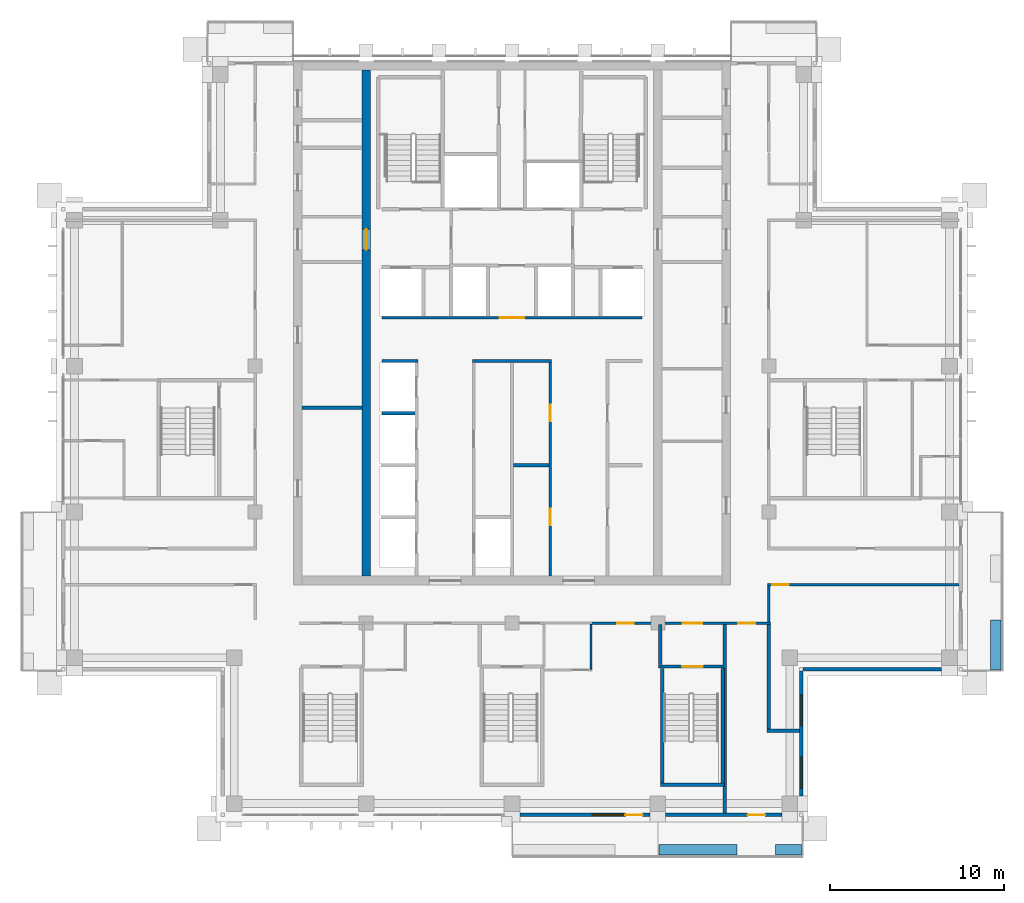
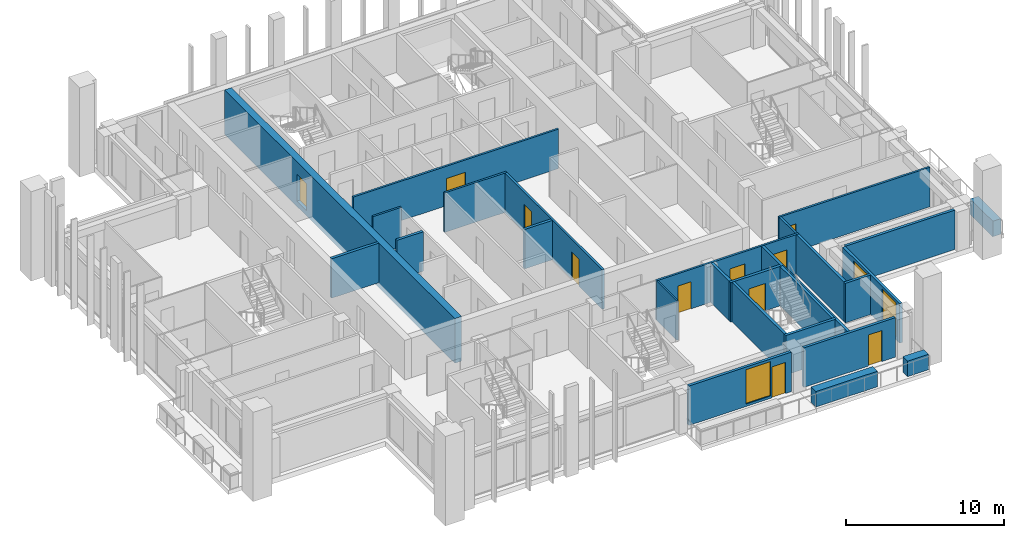
# One storey, part 10 of 18: 27 walls, 11 doors, 3 windows, 14 openings.
"""IFC4 building model written with IfcOpenShell, lengths in metres."""

import ifcopenshell
import ifcopenshell.guid

model = None  # the IFC model being written
_history = None  # IfcOwnerHistory: only IFC2X3 demands one
_inside = {}  # id of a spatial element -> (the spatial element, [elements in it])
_under = {}  # id of a project, library or spatial element -> (it, [spatial elements below it])
_declared = {}  # id of a project -> (the project, [libraries it declares])
_typed = {}  # id of a type object -> (the type object, [elements of that type])
_made_of = {}  # id of a material, layer set ... -> (it, [elements and type objects made of it])


def new_model(schema):
    """Start an empty IFC model of exactly this schema.

    Asked for "IFC4X3", IfcOpenShell would pick the latest addendum, in which some entities
    have other attributes; the version numbers below select the first issue.
    IFC2X3 requires an IfcOwnerHistory on every rooted entity: one is made here for all.
    """
    global model, _history
    if schema == "IFC4X3":
        model = ifcopenshell.file(schema_version=(4, 3, 0, 0))
    else:
        model = ifcopenshell.file(schema=schema)
    _inside.clear()
    _under.clear()
    _declared.clear()
    _typed.clear()
    _made_of.clear()
    _history = None
    if model.schema == "IFC2X3":
        org = make("IfcOrganization", Name="unknown")
        user = make(
            "IfcPersonAndOrganization",
            ThePerson=make("IfcPerson", FamilyName="unknown"),
            TheOrganization=org,
        )
        app = make(
            "IfcApplication",
            ApplicationDeveloper=org,
            Version="unknown",
            ApplicationFullName="unknown",
            ApplicationIdentifier="unknown",
        )
        _history = make(
            "IfcOwnerHistory",
            OwningUser=user,
            OwningApplication=app,
            ChangeAction="ADDED",
            CreationDate=0,
        )
    return model


def make(cls, **values):
    """One entity of the class cls with the attributes given. An attribute that is None is left unset."""
    return model.create_entity(
        cls, **{name: value for name, value in values.items() if value is not None}
    )


def rooted(cls, **values):
    """An entity with a GlobalId (a new one), such as an element, a storey or a relation."""
    return make(cls, GlobalId=ifcopenshell.guid.new(), OwnerHistory=_history, **values)


def si_unit(unit_type, name, prefix=None):
    """IfcSIUnit, for example si_unit("LENGTHUNIT", "METRE", prefix="MILLI")."""
    return make("IfcSIUnit", UnitType=unit_type, Prefix=prefix, Name=name)


def assignment(units):
    """IfcUnitAssignment: the units of a project."""
    return None if units is None else make("IfcUnitAssignment", Units=units)


def point(xyz):
    """IfcCartesianPoint."""
    return None if xyz is None else make("IfcCartesianPoint", Coordinates=xyz)


def direction(xyz):
    """IfcDirection."""
    return None if xyz is None else make("IfcDirection", DirectionRatios=xyz)


def frame(location, z_axis=None, x_axis=None):
    """IfcAxis2Placement3D, a coordinate frame: its origin and axes. An axis left out is left unset."""
    return make(
        "IfcAxis2Placement3D",
        Location=point(location),
        Axis=direction(z_axis),
        RefDirection=direction(x_axis),
    )


def frame_2d(location, x_axis=None):
    """IfcAxis2Placement2D, a coordinate frame in the plane: its origin and x axis."""
    return make(
        "IfcAxis2Placement2D", Location=point(location), RefDirection=direction(x_axis)
    )


def origin():
    """The frame at (0, 0, 0) with its axes left unset."""
    return frame((0.0, 0.0, 0.0))


def place(relative_to, where):
    """IfcLocalPlacement: puts the frame where relative to a parent placement (None: the world)."""
    return make(
        "IfcLocalPlacement", PlacementRelTo=relative_to, RelativePlacement=where
    )


def context(
    kind, dimensions, precision=None, world=None, true_north=None, identifier=None
):
    """IfcGeometricRepresentationContext, for example the 3D "Model" context."""
    return make(
        "IfcGeometricRepresentationContext",
        ContextIdentifier=identifier,
        ContextType=kind,
        CoordinateSpaceDimension=dimensions,
        Precision=precision,
        WorldCoordinateSystem=world,
        TrueNorth=true_north,
    )


def subcontext(parent, identifier, kind, view, scale=None):
    """IfcGeometricRepresentationSubContext, for example "Body" below "Model"."""
    return make(
        "IfcGeometricRepresentationSubContext",
        ContextIdentifier=identifier,
        ContextType=kind,
        ParentContext=parent,
        TargetScale=scale,
        TargetView=view,
    )


def project(units=None, contexts=None):
    """IfcProject with its units and contexts."""
    return rooted(
        "IfcProject",
        Name="project",
        RepresentationContexts=contexts,
        UnitsInContext=assignment(units),
    )


def spatial(cls, under=None, at=None, **own):
    """A site, building, storey or space (cls), placed at a placement, below another one or the project."""
    s = rooted(cls, ObjectPlacement=at, **own)
    if under is not None:
        _under.setdefault(under.id(), (under, []))[1].append(s)
    return s


def profile(cls, at=None, kind="AREA", **sizes):
    """A parametric profile (cls). Its sizes go by their IFC names, for example OverallWidth=200.0."""
    return make(cls, ProfileType=kind, Position=at, **sizes)


def rectangle(**sizes):
    """IfcRectangleProfileDef."""
    return profile("IfcRectangleProfileDef", **sizes)


def extrude(swept, where, along, depth):
    """IfcExtrudedAreaSolid: the profile swept, set in the frame where, extruded along a direction by depth."""
    return make(
        "IfcExtrudedAreaSolid",
        SweptArea=swept,
        Position=where,
        ExtrudedDirection=direction(along),
        Depth=depth,
    )


def shape(context_of_items, identifier, shape_type, items):
    """IfcShapeRepresentation: the items that make up one representation, for example the "Body"."""
    return make(
        "IfcShapeRepresentation",
        ContextOfItems=context_of_items,
        RepresentationIdentifier=identifier,
        RepresentationType=shape_type,
        Items=items,
    )


def material(Name=None, Category=None):
    """IfcMaterial."""
    return make("IfcMaterial", Name=Name, Category=Category)


def layer(
    of_material, thickness, ventilated=None, Name=None, Category=None, Priority=None
):
    """IfcMaterialLayer: one layer of a wall or slab, of a material (None: an air gap)."""
    return make(
        "IfcMaterialLayer",
        Material=of_material,
        LayerThickness=thickness,
        IsVentilated=ventilated,
        Name=Name,
        Category=Category,
        Priority=Priority,
    )


def layer_set(layers, Name=None):
    """IfcMaterialLayerSet."""
    return make("IfcMaterialLayerSet", MaterialLayers=layers, LayerSetName=Name)


def made_of(thing, what):
    """Note that an element or type object is made of a material, layer set ...; save() writes the relation."""
    if what is not None:
        _made_of.setdefault(what.id(), (what, []))[1].append(thing)
    return thing


def type_object(cls, material=None, **own):
    """A type object (cls), such as IfcWallType, which elements share."""
    return made_of(rooted(cls, **own), material)


def element(
    cls,
    number,
    at=None,
    inside=None,
    cuts=None,
    type_object=None,
    material=None,
    context=None,
    identifier="Body",
    shape_type=None,
    held_by="IfcProductDefinitionShape",
    body=None,
    shapes=None,
    **own,
):
    """One element of the class cls, such as IfcWall. Its Tag is "e" and its number.

    at: its placement. inside: the storey or other place that contains it. cuts: it is an
    opening in that element (IfcRelVoidsElement). A single representation is given by context,
    identifier, shape_type and body (its items); several are given by shapes. held_by: the class
    of the entity that holds the representations. save() writes the other relations.
    """
    e = rooted(cls, Tag="e%d" % number, ObjectPlacement=at, **own)
    if body is not None:
        shapes = [shape(context, identifier, shape_type, body)]
    if shapes is not None:
        e.Representation = make(held_by, Representations=shapes)
    if inside is not None:
        _inside.setdefault(inside.id(), (inside, []))[1].append(e)
    if cuts is not None:
        rooted(
            "IfcRelVoidsElement", RelatingBuildingElement=cuts, RelatedOpeningElement=e
        )
    if type_object is not None:
        _typed.setdefault(type_object.id(), (type_object, []))[1].append(e)
    return made_of(e, material)


def fill(opening, filler):
    """IfcRelFillsElement: the door or window that sits in an opening."""
    return rooted(
        "IfcRelFillsElement",
        RelatingOpeningElement=opening,
        RelatedBuildingElement=filler,
    )


def aggregate(whole, parts):
    """IfcRelAggregates: a whole, such as a stair, and the parts it consists of."""
    return rooted("IfcRelAggregates", RelatingObject=whole, RelatedObjects=parts)


def save(model, path):
    """Write the relations noted so far, then the file.

    IfcRelAggregates (storeys below a building ...), IfcRelContainedInSpatialStructure (elements
    in a storey), IfcRelDefinesByType, IfcRelAssociatesMaterial and IfcRelDeclares: one each for
    every whole, place, type object, material and project.
    """
    for whole, parts in _under.values():
        aggregate(whole, parts)
    for where, things in _inside.values():
        rooted(
            "IfcRelContainedInSpatialStructure",
            RelatedElements=things,
            RelatingStructure=where,
        )
    for kind, things in _typed.values():
        rooted("IfcRelDefinesByType", RelatedObjects=things, RelatingType=kind)
    for what, things in _made_of.values():
        rooted("IfcRelAssociatesMaterial", RelatedObjects=things, RelatingMaterial=what)
    for by, libraries in _declared.values():
        rooted("IfcRelDeclares", RelatingContext=by, RelatedDefinitions=libraries)
    model.write(path)


model = new_model("IFC4")

# Units and contexts
model_context = context("Model", 3, precision=1e-05, world=origin(), true_north=direction((0.0, 1.0)))
body_context = subcontext(model_context, "Body", "Model", "MODEL_VIEW")
ifc_project = project(units=[si_unit("LENGTHUNIT", "METRE"), si_unit("AREAUNIT", "SQUARE_METRE"), si_unit("VOLUMEUNIT", "CUBIC_METRE"), si_unit("PLANEANGLEUNIT", "RADIAN"), si_unit("MASSUNIT", "GRAM", prefix="KILO")], contexts=[model_context])

# Site, building, storey
site_placement = place(None, origin())
site = spatial("IfcSite", under=ifc_project, at=site_placement, CompositionType="ELEMENT")
building_placement = place(site_placement, origin())
building = spatial("IfcBuilding", under=site, at=building_placement, Name="Vermilion Ogive Tower", CompositionType="ELEMENT")
storey_placement = place(building_placement, frame((0.0, 0.0, 254.5)))
storey = spatial("IfcBuildingStorey", under=building, at=storey_placement, Name="L67", CompositionType="ELEMENT", Elevation=254.5)

# Wall, opening, door
ifc_material_1 = material(Name="Concrete B60", Category="concrete")
ifc_layer_1 = layer(ifc_material_1, 0.5)
ifc_layer_set_1 = layer_set([ifc_layer_1], Name="Core wall 500 B60")
wall_type_1 = type_object("IfcWallType", Name="Core wall 500 B60", PredefinedType="SHEAR", material=ifc_layer_set_1)
wall_1_placement = place(storey_placement, frame((-8.39990234375, -7.89990234375, -0.39990234375), z_axis=(0.0, 0.0, 1.0), x_axis=(0.0, 1.0, 0.0)))
wall_1 = element("IfcWall", 1, at=wall_1_placement, inside=storey, type_object=wall_type_1, Name="L67-CORE-WEB1", PredefinedType="SHEAR", context=body_context, shape_type="SweptSolid", body=[
    extrude(rectangle(XDim=29.14990234375, YDim=0.5, at=frame_2d((14.574951171875, 0.0))), origin(), (0.0, 0.0, 1.0), 3.449951171875),
])
opening_1_placement = place(wall_1_placement, frame((18.800048828125, 0.0, 0.39990234375)))
opening_1 = element("IfcOpeningElement", 2, at=opening_1_placement, cuts=wall_1, Name="Opening DAP023", PredefinedType="OPENING", context=body_context, shape_type="SweptSolid", body=[
    extrude(rectangle(XDim=1.199951171875, YDim=2.10009765625, at=frame_2d((0.60009765625, 1.050048828125))), frame((0.0, 0.260009765625, 0.0), z_axis=(0.0, -1.0, 0.0), x_axis=(1.0, 0.0, 0.0)), (0.0, 0.0, 1.0), 0.52001953125),
])
ifc_material_2 = material(Name="Timber door leaf", Category="wood")
door_type_1 = type_object("IfcDoorType", Name="Link door 1200 x 2100 FD60S", OperationType="SINGLE_SWING_LEFT", PredefinedType="DOOR", material=ifc_material_2)
door_1_placement = place(opening_1_placement, origin())
door_1 = element("IfcDoor", 3, at=door_1_placement, inside=storey, type_object=door_type_1, Name="L67-CKW-XW", OperationType="SINGLE_SWING_LEFT", OverallHeight=2.10009765625, OverallWidth=1.199951171875, PredefinedType="DOOR", context=body_context, shape_type="SweptSolid", body=[
    extrude(rectangle(XDim=1.199951171875, YDim=2.10009765625, at=frame_2d((0.60009765625, 1.050048828125))), frame((0.0, 0.02490234375, 0.0), z_axis=(0.0, -1.0, 0.0), x_axis=(1.0, 0.0, 0.0)), (0.0, 0.0, 1.0), 0.050048828125),
])
fill(opening_1, door_1)

# Wall
ifc_material_3 = material(Name="Gypsum board partition on steel studs", Category="steel")
ifc_layer_2 = layer(ifc_material_3, 0.10009765625)
ifc_layer_set_2 = layer_set([ifc_layer_2], Name="Partition 100 bath")
wall_type_2 = type_object("IfcWallType", Name="Partition 100 bath", PredefinedType="PARTITIONING", material=ifc_layer_set_2)
wall_2_placement = place(storey_placement, frame((4.550048828125, -13.248046875, 0.0), z_axis=(0.0, 0.0, 1.0), x_axis=(0.0, 1.0, 0.0)))
element("IfcWall", 4, at=wall_2_placement, inside=storey, type_object=wall_type_2, Name="L67-W-W052", PredefinedType="PARTITIONING", context=body_context, shape_type="SweptSolid", body=[
    extrude(rectangle(XDim=2.572998046875, YDim=0.10009765625, at=frame_2d((1.28662109375, 0.0))), origin(), (0.0, 0.0, 1.0), 3.050048828125),
])

# Wall, openings, doors
ifc_material_4 = material(Name="Gypsum board partition on steel studs", Category="steel")
ifc_layer_3 = layer(ifc_material_4, 0.14990234375)
ifc_layer_set_3 = layer_set([ifc_layer_3], Name="Partition 150 corridor")
wall_type_3 = type_object("IfcWallType", Name="Partition 150 corridor", PredefinedType="PARTITIONING", material=ifc_layer_set_3)
wall_3_placement = place(storey_placement, frame((4.5, -10.60009765625, 0.0), z_axis=(0.0, 0.0, 1.0), x_axis=(1.0, 0.0, 0.0)))
wall_3 = element("IfcWall", 5, at=wall_3_placement, inside=storey, type_object=wall_type_3, Name="L67-W-W012", PredefinedType="PARTITIONING", context=body_context, shape_type="SweptSolid", body=[
    extrude(rectangle(XDim=10.39990234375, YDim=0.14990234375, at=frame_2d((5.199951171875, 0.0))), origin(), (0.0, 0.0, 1.0), 3.050048828125),
])
opening_2_placement = place(wall_3_placement, frame((1.574951171875, 0.0, 0.0)))
opening_2 = element("IfcOpeningElement", 6, at=opening_2_placement, cuts=wall_3, Name="Opening D5G5011", PredefinedType="OPENING", context=body_context, shape_type="SweptSolid", body=[
    extrude(rectangle(XDim=0.949951171875, YDim=2.10009765625, at=frame_2d((0.47509765625, 1.050048828125))), frame((0.0, 0.0849609375, 0.0), z_axis=(0.0, -1.0, 0.0), x_axis=(1.0, 0.0, 0.0)), (0.0, 0.0, 1.0), 0.169921875),
])
opening_3_placement = place(wall_3_placement, frame((5.35009765625, 0.0, 0.0)))
opening_3 = element("IfcOpeningElement", 7, at=opening_3_placement, cuts=wall_3, Name="Opening D5G5025", PredefinedType="OPENING", context=body_context, shape_type="SweptSolid", body=[
    extrude(rectangle(XDim=1.10009765625, YDim=2.10009765625, at=frame_2d((0.550048828125, 1.050048828125))), frame((0.0, 0.0849609375, 0.0), z_axis=(0.0, -1.0, 0.0), x_axis=(1.0, 0.0, 0.0)), (0.0, 0.0, 1.0), 0.169921875),
])
opening_4_placement = place(wall_3_placement, frame((8.52490234375, 0.0, 0.0)))
opening_4 = element("IfcOpeningElement", 8, at=opening_4_placement, cuts=wall_3, Name="Opening D5G5031", PredefinedType="OPENING", context=body_context, shape_type="SweptSolid", body=[
    extrude(rectangle(XDim=1.0, YDim=2.10009765625, at=frame_2d((0.5, 1.050048828125))), frame((0.0, 0.0849609375, 0.0), z_axis=(0.0, -1.0, 0.0), x_axis=(1.0, 0.0, 0.0)), (0.0, 0.0, 1.0), 0.169921875),
])
ifc_material_5 = material(Name="Timber door leaf", Category="wood")
door_type_2 = type_object("IfcDoorType", Name="Stair door 1100 x 2100 FD60S", OperationType="SINGLE_SWING_LEFT", PredefinedType="DOOR", material=ifc_material_5)
door_2_placement = place(opening_3_placement, origin())
door_2 = element("IfcDoor", 9, at=door_2_placement, inside=storey, type_object=door_type_2, Name="L67-D-D025", OperationType="SINGLE_SWING_LEFT", OverallHeight=2.10009765625, OverallWidth=1.10009765625, PredefinedType="DOOR", context=body_context, shape_type="SweptSolid", body=[
    extrude(rectangle(XDim=1.10009765625, YDim=2.10009765625, at=frame_2d((0.550048828125, 1.050048828125))), frame((0.0, 0.02490234375, 0.0), z_axis=(0.0, -1.0, 0.0), x_axis=(1.0, 0.0, 0.0)), (0.0, 0.0, 1.0), 0.050048828125),
])
fill(opening_3, door_2)
ifc_material_6 = material(Name="Timber door leaf", Category="wood")
door_type_3 = type_object("IfcDoorType", Name="Unit door 1000 x 2100 FD30S", OperationType="SINGLE_SWING_LEFT", PredefinedType="DOOR", material=ifc_material_6)
door_3_placement = place(opening_4_placement, origin())
door_3 = element("IfcDoor", 10, at=door_3_placement, inside=storey, type_object=door_type_3, Name="L67-D-D031", OperationType="SINGLE_SWING_LEFT", OverallHeight=2.10009765625, OverallWidth=1.0, PredefinedType="DOOR", context=body_context, shape_type="SweptSolid", body=[
    extrude(rectangle(XDim=1.0, YDim=2.10009765625, at=frame_2d((0.5, 1.050048828125))), frame((0.0, 0.02490234375, 0.0), z_axis=(0.0, -1.0, 0.0), x_axis=(1.0, 0.0, 0.0)), (0.0, 0.0, 1.0), 0.050048828125),
])
fill(opening_4, door_3)
ifc_material_7 = material(Name="Timber door leaf", Category="wood")
door_type_4 = type_object("IfcDoorType", Name="Unit door 950 x 2100 FD30S", OperationType="SINGLE_SWING_LEFT", PredefinedType="DOOR", material=ifc_material_7)
door_4_placement = place(opening_2_placement, origin())
door_4 = element("IfcDoor", 11, at=door_4_placement, inside=storey, type_object=door_type_4, Name="L67-D-D011", OperationType="SINGLE_SWING_LEFT", OverallHeight=2.10009765625, OverallWidth=0.949951171875, PredefinedType="DOOR", context=body_context, shape_type="SweptSolid", body=[
    extrude(rectangle(XDim=0.949951171875, YDim=2.10009765625, at=frame_2d((0.47509765625, 1.050048828125))), frame((0.0, 0.02490234375, 0.0), z_axis=(0.0, -1.0, 0.0), x_axis=(1.0, 0.0, 0.0)), (0.0, 0.0, 1.0), 0.050048828125),
])
fill(opening_2, door_4)

# Wall, opening, door
wall_4_placement = place(storey_placement, frame((14.72509765625, -8.39990234375, 0.0), z_axis=(0.0, 0.0, 1.0), x_axis=(1.0, 0.0, 0.0)))
wall_4 = element("IfcWall", 12, at=wall_4_placement, inside=storey, type_object=wall_type_3, Name="L67-W-W015", PredefinedType="PARTITIONING", context=body_context, shape_type="SweptSolid", body=[
    extrude(rectangle(XDim=11.02490234375, YDim=0.14990234375, at=frame_2d((5.512451171875, 0.0))), origin(), (0.0, 0.0, 1.0), 3.050048828125),
])
opening_5_placement = place(wall_4_placement, frame((0.27490234375, 0.0, 0.0)))
opening_5 = element("IfcOpeningElement", 13, at=opening_5_placement, cuts=wall_4, Name="Opening D5G5013", PredefinedType="OPENING", context=body_context, shape_type="SweptSolid", body=[
    extrude(rectangle(XDim=0.949951171875, YDim=2.10009765625, at=frame_2d((0.47509765625, 1.050048828125))), frame((0.0, 0.0849609375, 0.0), z_axis=(0.0, -1.0, 0.0), x_axis=(1.0, 0.0, 0.0)), (0.0, 0.0, 1.0), 0.169921875),
])
door_5_placement = place(opening_5_placement, origin())
door_5 = element("IfcDoor", 14, at=door_5_placement, inside=storey, type_object=door_type_4, Name="L67-D-D013", OperationType="SINGLE_SWING_RIGHT", OverallHeight=2.10009765625, OverallWidth=0.949951171875, PredefinedType="DOOR", context=body_context, shape_type="SweptSolid", body=[
    extrude(rectangle(XDim=0.949951171875, YDim=2.10009765625, at=frame_2d((0.47509765625, 1.050048828125))), frame((0.0, 0.02490234375, 0.0), z_axis=(0.0, -1.0, 0.0), x_axis=(1.0, 0.0, 0.0)), (0.0, 0.0, 1.0), 0.050048828125),
])
fill(opening_5, door_5)

# Walls
wall_5_placement = place(storey_placement, frame((14.800048828125, -10.52490234375, 0.0), z_axis=(0.0, 0.0, 1.0), x_axis=(0.0, 1.0, 0.0)))
element("IfcWall", 15, at=wall_5_placement, inside=storey, type_object=wall_type_3, Name="L67-W-W058", PredefinedType="PARTITIONING", context=body_context, shape_type="SweptSolid", body=[
    extrude(rectangle(XDim=2.0498046875, YDim=0.14990234375, at=frame_2d((1.02490234375, 0.0))), origin(), (0.0, 0.0, 1.0), 3.050048828125),
])
wall_6_placement = place(storey_placement, frame((-7.5, 4.5, 0.0), z_axis=(0.0, 0.0, 1.0), x_axis=(1.0, 0.0, 0.0)))
element("IfcWall", 16, at=wall_6_placement, inside=storey, type_object=wall_type_3, Name="L67-CK-W-W007", PredefinedType="PARTITIONING", context=body_context, shape_type="SweptSolid", body=[
    extrude(rectangle(XDim=2.074951171875, YDim=0.14990234375, at=frame_2d((1.03759765625, 0.0))), origin(), (0.0, 0.0, 1.0), 3.050048828125),
])
wall_7_placement = place(storey_placement, frame((-2.27490234375, 4.5, 0.0), z_axis=(0.0, 0.0, 1.0), x_axis=(1.0, 0.0, 0.0)))
element("IfcWall", 17, at=wall_7_placement, inside=storey, type_object=wall_type_3, Name="L67-CK-W-W008", PredefinedType="PARTITIONING", context=body_context, shape_type="SweptSolid", body=[
    extrude(rectangle(XDim=4.5498046875, YDim=0.14990234375, at=frame_2d((2.27490234375, 0.0))), origin(), (0.0, 0.0, 1.0), 3.050048828125),
])

# Wall, opening, door
wall_8_placement = place(storey_placement, frame((-7.5, 7.0, 0.0), z_axis=(0.0, 0.0, 1.0), x_axis=(1.0, 0.0, 0.0)))
wall_8 = element("IfcWall", 18, at=wall_8_placement, inside=storey, type_object=wall_type_3, Name="L67-CK-W-W010", PredefinedType="PARTITIONING", context=body_context, shape_type="SweptSolid", body=[
    extrude(rectangle(XDim=15.0, YDim=0.14990234375, at=frame_2d((7.5, 0.0))), origin(), (0.0, 0.0, 1.0), 3.050048828125),
])
opening_6_placement = place(wall_8_placement, frame((6.800048828125, 0.0, 0.0)))
opening_6 = element("IfcOpeningElement", 19, at=opening_6_placement, cuts=wall_8, Name="Opening DAA635", PredefinedType="OPENING", context=body_context, shape_type="SweptSolid", body=[
    extrude(rectangle(XDim=1.39990234375, YDim=2.10009765625, at=frame_2d((0.699951171875, 1.050048828125))), frame((0.0, 0.0849609375, 0.0), z_axis=(0.0, -1.0, 0.0), x_axis=(1.0, 0.0, 0.0)), (0.0, 0.0, 1.0), 0.169921875),
])
ifc_material_8 = material(Name="Timber door leaf", Category="wood")
door_type_5 = type_object("IfcDoorType", Name="Lobby door 1400 x 2100 FD60S", OperationType="SINGLE_SWING_LEFT", PredefinedType="DOOR", material=ifc_material_8)
door_6_placement = place(opening_6_placement, origin())
door_6 = element("IfcDoor", 20, at=door_6_placement, inside=storey, type_object=door_type_5, Name="L67-CK-D-D015", OperationType="SINGLE_SWING_RIGHT", OverallHeight=2.10009765625, OverallWidth=1.39990234375, PredefinedType="DOOR", context=body_context, shape_type="SweptSolid", body=[
    extrude(rectangle(XDim=1.39990234375, YDim=2.10009765625, at=frame_2d((0.699951171875, 1.050048828125))), frame((0.0, 0.02490234375, 0.0), z_axis=(0.0, -1.0, 0.0), x_axis=(1.0, 0.0, 0.0)), (0.0, 0.0, 1.0), 0.050048828125),
])
fill(opening_6, door_6)

# Wall, openings, doors
wall_9_placement = place(storey_placement, frame((2.199951171875, -7.89892578125, 0.0), z_axis=(0.0, 0.0, 1.0), x_axis=(0.0, 1.0, 0.0)))
wall_9 = element("IfcWall", 21, at=wall_9_placement, inside=storey, type_object=wall_type_3, Name="L67-CK-W-W031", PredefinedType="PARTITIONING", context=body_context, shape_type="SweptSolid", body=[
    extrude(rectangle(XDim=12.323974609375, YDim=0.14990234375, at=frame_2d((6.162109375, 0.0))), origin(), (0.0, 0.0, 1.0), 3.050048828125),
])
opening_7_placement = place(wall_9_placement, frame((2.923828125, 0.0, 0.0)))
opening_7 = element("IfcOpeningElement", 22, at=opening_7_placement, cuts=wall_9, Name="Opening DAA639", PredefinedType="OPENING", context=body_context, shape_type="SweptSolid", body=[
    extrude(rectangle(XDim=0.949951171875, YDim=2.10009765625, at=frame_2d((0.47509765625, 1.050048828125))), frame((0.0, 0.0849609375, 0.0), z_axis=(0.0, -1.0, 0.0), x_axis=(1.0, 0.0, 0.0)), (0.0, 0.0, 1.0), 0.169921875),
])
opening_8_placement = place(wall_9_placement, frame((8.923828125, 0.0, 0.0)))
opening_8 = element("IfcOpeningElement", 23, at=opening_8_placement, cuts=wall_9, Name="Opening DAA640", PredefinedType="OPENING", context=body_context, shape_type="SweptSolid", body=[
    extrude(rectangle(XDim=0.949951171875, YDim=2.10009765625, at=frame_2d((0.47509765625, 1.050048828125))), frame((0.0, 0.0849609375, 0.0), z_axis=(0.0, -1.0, 0.0), x_axis=(1.0, 0.0, 0.0)), (0.0, 0.0, 1.0), 0.169921875),
])
ifc_material_9 = material(Name="Timber door leaf", Category="wood")
door_type_6 = type_object("IfcDoorType", Name="Service door 950 x 2100 FD60", OperationType="SINGLE_SWING_LEFT", PredefinedType="DOOR", material=ifc_material_9)
door_7_placement = place(opening_7_placement, origin())
door_7 = element("IfcDoor", 24, at=door_7_placement, inside=storey, type_object=door_type_6, Name="L67-CK-D-D007", OperationType="SINGLE_SWING_RIGHT", OverallHeight=2.10009765625, OverallWidth=0.949951171875, PredefinedType="DOOR", context=body_context, shape_type="SweptSolid", body=[
    extrude(rectangle(XDim=0.949951171875, YDim=2.10009765625, at=frame_2d((0.47509765625, 1.050048828125))), frame((0.0, 0.02490234375, 0.0), z_axis=(0.0, -1.0, 0.0), x_axis=(1.0, 0.0, 0.0)), (0.0, 0.0, 1.0), 0.050048828125),
])
fill(opening_7, door_7)
door_8_placement = place(opening_8_placement, origin())
door_8 = element("IfcDoor", 25, at=door_8_placement, inside=storey, type_object=door_type_6, Name="L67-CK-D-D008", OperationType="SINGLE_SWING_RIGHT", OverallHeight=2.10009765625, OverallWidth=0.949951171875, PredefinedType="DOOR", context=body_context, shape_type="SweptSolid", body=[
    extrude(rectangle(XDim=0.949951171875, YDim=2.10009765625, at=frame_2d((0.47509765625, 1.050048828125))), frame((0.0, 0.02490234375, 0.0), z_axis=(0.0, -1.0, 0.0), x_axis=(1.0, 0.0, 0.0)), (0.0, 0.0, 1.0), 0.050048828125),
])
fill(opening_8, door_8)

# Walls
ifc_material_10 = material(Name="Gypsum board partition on steel studs", Category="steel")
ifc_layer_4 = layer(ifc_material_10, 0.199951171875)
ifc_layer_set_4 = layer_set([ifc_layer_4], Name="Partition 200 party")
wall_type_4 = type_object("IfcWallType", Name="Partition 200 party", PredefinedType="PARTITIONING", material=ifc_layer_set_4)
wall_10_placement = place(storey_placement, frame((14.701904296875, -16.800048828125, 0.0), z_axis=(0.0, 0.0, 1.0), x_axis=(1.0, 0.0, 0.0)))
element("IfcWall", 26, at=wall_10_placement, inside=storey, type_object=wall_type_4, Name="L67-W-W002", PredefinedType="PARTITIONING", context=body_context, shape_type="SweptSolid", body=[
    extrude(rectangle(XDim=1.84814453125, YDim=0.199951171875, at=frame_2d((0.924072265625, 0.0))), origin(), (0.0, 0.0, 1.0), 3.050048828125),
])
wall_11_placement = place(storey_placement, frame((8.550048828125, -12.998046875, 0.0), z_axis=(0.0, 0.0, 1.0), x_axis=(0.0, 1.0, 0.0)))
element("IfcWall", 27, at=wall_11_placement, inside=storey, type_object=wall_type_4, Name="L67-W-W053", PredefinedType="PARTITIONING", context=body_context, shape_type="SweptSolid", body=[
    extrude(rectangle(XDim=2.322998046875, YDim=0.199951171875, at=frame_2d((1.16162109375, 0.0))), origin(), (0.0, 0.0, 1.0), 3.050048828125),
])
wall_12_placement = place(storey_placement, frame((14.800048828125, -16.697998046875, 0.0), z_axis=(0.0, 0.0, 1.0), x_axis=(0.0, 1.0, 0.0)))
element("IfcWall", 28, at=wall_12_placement, inside=storey, type_object=wall_type_4, Name="L67-W-W057", PredefinedType="PARTITIONING", context=body_context, shape_type="SweptSolid", body=[
    extrude(rectangle(XDim=6.02294921875, YDim=0.199951171875, at=frame_2d((3.011474609375, 0.0))), origin(), (0.0, 0.0, 1.0), 3.050048828125),
])
wall_13_placement = place(storey_placement, frame((0.10009765625, -1.5, 0.0), z_axis=(0.0, 0.0, 1.0), x_axis=(1.0, 0.0, 0.0)))
element("IfcWall", 29, at=wall_13_placement, inside=storey, type_object=wall_type_4, Name="L67-CK-W-W004", PredefinedType="PARTITIONING", context=body_context, shape_type="SweptSolid", body=[
    extrude(rectangle(XDim=2.02490234375, YDim=0.199951171875, at=frame_2d((1.012451171875, 0.0))), origin(), (0.0, 0.0, 1.0), 3.050048828125),
])
wall_14_placement = place(storey_placement, frame((-7.5, 1.5, 0.0), z_axis=(0.0, 0.0, 1.0), x_axis=(1.0, 0.0, 0.0)))
element("IfcWall", 30, at=wall_14_placement, inside=storey, type_object=wall_type_4, Name="L67-CK-W-W006", PredefinedType="PARTITIONING", context=body_context, shape_type="SweptSolid", body=[
    extrude(rectangle(XDim=1.925048828125, YDim=0.199951171875, at=frame_2d((0.96240234375, 0.0))), origin(), (0.0, 0.0, 1.0), 3.050048828125),
])
wall_15_placement = place(storey_placement, frame((-12.09912109375, 1.81591796875, 0.0), z_axis=(0.0, 0.0, 1.0), x_axis=(1.0, 0.0, 0.0)))
element("IfcWall", 31, at=wall_15_placement, inside=storey, type_object=wall_type_4, Name="L67-CKW-W-W001", PredefinedType="PARTITIONING", context=body_context, shape_type="SweptSolid", body=[
    extrude(rectangle(XDim=3.4482421875, YDim=0.199951171875, at=frame_2d((1.72412109375, 0.0))), origin(), (0.0, 0.0, 1.0), 3.050048828125),
])
ifc_material_11 = material(Name="Concrete B60", Category="concrete")
ifc_layer_5 = layer(ifc_material_11, 0.199951171875)
ifc_layer_set_5 = layer_set([ifc_layer_5], Name="Stair shaft wall 200 Concrete B60")
wall_type_5 = type_object("IfcWallType", Name="Stair shaft wall 200 Concrete B60", PredefinedType="SOLIDWALL", material=ifc_layer_set_5)
wall_16_placement = place(storey_placement, frame((8.552001953125, -19.89990234375, 0.0), z_axis=(0.0, 0.0, 1.0), x_axis=(1.0, 0.0, 0.0)))
element("IfcWall", 32, at=wall_16_placement, inside=storey, type_object=wall_type_5, Name="L67-W-W001", PredefinedType="SOLIDWALL", context=body_context, shape_type="SweptSolid", body=[
    extrude(rectangle(XDim=3.696044921875, YDim=0.199951171875, at=frame_2d((1.84814453125, 0.0))), origin(), (0.0, 0.0, 1.0), 3.050048828125),
])

# Wall, opening, door
wall_17_placement = place(storey_placement, frame((8.451904296875, -13.10009765625, 0.0), z_axis=(0.0, 0.0, 1.0), x_axis=(1.0, 0.0, 0.0)))
wall_17 = element("IfcWall", 33, at=wall_17_placement, inside=storey, type_object=wall_type_5, Name="L67-W-W007", PredefinedType="SOLIDWALL", context=body_context, shape_type="SweptSolid", body=[
    extrude(rectangle(XDim=3.696044921875, YDim=0.199951171875, at=frame_2d((1.84814453125, 0.0))), origin(), (0.0, 0.0, 1.0), 3.050048828125),
])
opening_9_placement = place(wall_17_placement, frame((1.34814453125, 0.0, 0.0)))
opening_9 = element("IfcOpeningElement", 34, at=opening_9_placement, cuts=wall_17, Name="Opening D5G5026", PredefinedType="OPENING", context=body_context, shape_type="SweptSolid", body=[
    extrude(rectangle(XDim=1.199951171875, YDim=2.10009765625, at=frame_2d((0.60009765625, 1.050048828125))), frame((0.0, 0.10986328125, 0.0), z_axis=(0.0, -1.0, 0.0), x_axis=(1.0, 0.0, 0.0)), (0.0, 0.0, 1.0), 0.219970703125),
])
ifc_material_12 = material(Name="Timber door leaf", Category="wood")
door_type_7 = type_object("IfcDoorType", Name="Stair door 1200 x 2100 FD60S", OperationType="SINGLE_SWING_LEFT", PredefinedType="DOOR", material=ifc_material_12)
door_9_placement = place(opening_9_placement, origin())
door_9 = element("IfcDoor", 35, at=door_9_placement, inside=storey, type_object=door_type_7, Name="L67-D-D026", OperationType="SINGLE_SWING_RIGHT", OverallHeight=2.10009765625, OverallWidth=1.199951171875, PredefinedType="DOOR", context=body_context, shape_type="SweptSolid", body=[
    extrude(rectangle(XDim=1.199951171875, YDim=2.10009765625, at=frame_2d((0.60009765625, 1.050048828125))), frame((0.0, 0.02490234375, 0.0), z_axis=(0.0, -1.0, 0.0), x_axis=(1.0, 0.0, 0.0)), (0.0, 0.0, 1.0), 0.050048828125),
])
fill(opening_9, door_9)

# Walls
for number, where, z_axis, x_axis, name in (
    (36, (8.64990234375, -19.798095703125, 0.0), (0.0, 0.0, 1.0), (0.0, 1.0, 0.0), "L67-W-W054"),
    (37, (12.14990234375, -19.798095703125, 0.0), (0.0, 0.0, 1.0), (0.0, 1.0, 0.0), "L67-W-W055"),
):
    element("IfcWall", number, at=place(storey_placement, frame(where, z_axis=z_axis, x_axis=x_axis)), inside=storey, type_object=wall_type_5, Name=name, PredefinedType="SOLIDWALL", context=body_context, shape_type="SweptSolid", body=[
        extrude(rectangle(XDim=6.59619140625, YDim=0.199951171875, at=frame_2d((3.298095703125, 0.0))), origin(), (0.0, 0.0, 1.0), 3.050048828125),
    ])
wall_18_placement = place(storey_placement, frame((12.25, -21.550048828125, 0.0), z_axis=(0.0, 0.0, 1.0), x_axis=(0.0, 1.0, 0.0)))
element("IfcWall", 38, at=wall_18_placement, inside=storey, type_object=wall_type_5, Name="L67-W-W056-A", PredefinedType="SOLIDWALL", context=body_context, shape_type="SweptSolid", body=[
    extrude(rectangle(XDim=10.875, YDim=0.199951171875, at=frame_2d((5.4375, 0.0))), origin(), (0.0, 0.0, 1.0), 3.050048828125),
])
ifc_material_13 = material(Name="Concrete B40", Category="concrete")
ifc_layer_6 = layer(ifc_material_13, 0.60009765625)
ifc_layer_set_6 = layer_set([ifc_layer_6], Name="Structural planter")
wall_type_6 = type_object("IfcWallType", Name="Structural planter", PredefinedType="USERDEFINED", material=ifc_layer_set_6)
wall_19_placement = place(storey_placement, frame((8.4599609375, -23.660888671875, -0.0400390625), z_axis=(0.0, 0.0, 1.0), x_axis=(1.0, 0.0, 0.0)))
element("IfcWall", 39, at=wall_19_placement, inside=storey, type_object=wall_type_6, Name="Planter S04A1", ObjectType="PLANTER", PredefinedType="USERDEFINED", context=body_context, shape_type="SweptSolid", body=[
    extrude(rectangle(XDim=4.51513671875, YDim=0.60009765625, at=frame_2d((2.257568359375, 0.0))), origin(), (0.0, 0.0, 1.0), 1.199951171875),
])
wall_20_placement = place(storey_placement, frame((15.175048828125, -23.660888671875, -0.0400390625), z_axis=(0.0, 0.0, 1.0), x_axis=(1.0, 0.0, 0.0)))
element("IfcWall", 40, at=wall_20_placement, inside=storey, type_object=wall_type_6, Name="Planter S04A2", ObjectType="PLANTER", PredefinedType="USERDEFINED", context=body_context, shape_type="SweptSolid", body=[
    extrude(rectangle(XDim=1.514892578125, YDim=0.60009765625, at=frame_2d((0.75732421875, 0.0))), origin(), (0.0, 0.0, 1.0), 1.199951171875),
])
wall_21_placement = place(storey_placement, frame((27.86083984375, -13.2900390625, -0.0400390625), z_axis=(0.0, 0.0, 1.0), x_axis=(0.0, 1.0, 0.0)))
element("IfcWall", 41, at=wall_21_placement, inside=storey, type_object=wall_type_6, Name="Planter E01A1", ObjectType="PLANTER", PredefinedType="USERDEFINED", context=body_context, shape_type="SweptSolid", body=[
    extrude(rectangle(XDim=2.864990234375, YDim=0.60009765625, at=frame_2d((1.4326171875, 0.0))), origin(), (0.0, 0.0, 1.0), 1.199951171875),
])

# Wall, openings, door, window
ifc_material_14 = material(Name="Aluminium window wall framing", Category="aluminium")
ifc_layer_7 = layer(ifc_material_14, 0.199951171875)
ifc_layer_set_7 = layer_set([ifc_layer_7], Name="Window wall")
wall_type_7 = type_object("IfcWallType", Name="Window wall", PredefinedType="STANDARD", material=ifc_layer_set_7)
wall_22_placement = place(storey_placement, frame((0.449951171875, -21.64990234375, 0.0), z_axis=(0.0, 0.0, 1.0), x_axis=(1.0, 0.0, 0.0)))
wall_22 = element("IfcWall", 42, at=wall_22_placement, inside=storey, type_object=wall_type_7, Name="Window wall S3", PredefinedType="STANDARD", context=body_context, shape_type="SweptSolid", body=[
    extrude(rectangle(XDim=7.5, YDim=0.199951171875, at=frame_2d((3.75, 0.0))), origin(), (0.0, 0.0, 1.0), 3.050048828125),
])
opening_10_placement = place(wall_22_placement, frame((4.175048828125, 0.0, 0.199951171875)))
opening_10 = element("IfcOpeningElement", 43, at=opening_10_placement, cuts=wall_22, Name="Opening W1-S01", PredefinedType="OPENING", context=body_context, shape_type="SweptSolid", body=[
    extrude(rectangle(XDim=1.800048828125, YDim=2.64990234375, at=frame_2d((0.89990234375, 1.324951171875))), frame((0.0, 0.10986328125, 0.0), z_axis=(0.0, -1.0, 0.0), x_axis=(1.0, 0.0, 0.0)), (0.0, 0.0, 1.0), 0.219970703125),
])
opening_11_placement = place(wall_22_placement, frame((6.074951171875, 0.0, 0.0)))
opening_11 = element("IfcOpeningElement", 44, at=opening_11_placement, cuts=wall_22, Name="Opening D1-S01", PredefinedType="OPENING", context=body_context, shape_type="SweptSolid", body=[
    extrude(rectangle(XDim=1.0, YDim=2.39990234375, at=frame_2d((0.5, 1.199951171875))), frame((0.0, 0.10986328125, 0.0), z_axis=(0.0, -1.0, 0.0), x_axis=(1.0, 0.0, 0.0)), (0.0, 0.0, 1.0), 0.219970703125),
])
ifc_material_15 = material(Name="Aluminium framed glazed door", Category="aluminium")
door_type_8 = type_object("IfcDoorType", Name="Balcony door D1", OperationType="SINGLE_SWING_LEFT", PredefinedType="DOOR", material=ifc_material_15)
door_10_placement = place(opening_11_placement, origin())
door_10 = element("IfcDoor", 45, at=door_10_placement, inside=storey, type_object=door_type_8, Name="Balcony door S01", OperationType="SINGLE_SWING_LEFT", OverallHeight=2.39990234375, OverallWidth=1.0, PredefinedType="DOOR", context=body_context, shape_type="SweptSolid", body=[
    extrude(rectangle(XDim=1.0, YDim=2.39990234375, at=frame_2d((0.5, 1.199951171875))), frame((0.0, 0.02490234375, 0.0), z_axis=(0.0, -1.0, 0.0), x_axis=(1.0, 0.0, 0.0)), (0.0, 0.0, 1.0), 0.050048828125),
])
fill(opening_11, door_10)
ifc_material_16 = material(Name="Aluminium framed double glazing", Category="aluminium")
window_type = type_object("IfcWindowType", Name="Guest window W1", PartitioningType="SINGLE_PANEL", PredefinedType="WINDOW", material=ifc_material_16)
window_1_placement = place(opening_10_placement, origin())
window_1 = element("IfcWindow", 46, at=window_1_placement, inside=storey, type_object=window_type, Name="Window S01", OverallHeight=2.64990234375, OverallWidth=1.800048828125, PartitioningType="SINGLE_PANEL", PredefinedType="WINDOW", context=body_context, shape_type="SweptSolid", body=[
    extrude(rectangle(XDim=1.800048828125, YDim=2.64990234375, at=frame_2d((0.89990234375, 1.324951171875))), frame((0.0, 0.030029296875, 0.0), z_axis=(0.0, -1.0, 0.0), x_axis=(1.0, 0.0, 0.0)), (0.0, 0.0, 1.0), 0.06005859375),
])
fill(opening_10, window_1)

# Wall, opening, door
wall_23_placement = place(storey_placement, frame((8.85009765625, -21.64990234375, 0.0), z_axis=(0.0, 0.0, 1.0), x_axis=(1.0, 0.0, 0.0)))
wall_23 = element("IfcWall", 47, at=wall_23_placement, inside=storey, type_object=wall_type_7, Name="Window wall S4", PredefinedType="STANDARD", context=body_context, shape_type="SweptSolid", body=[
    extrude(rectangle(XDim=6.699951171875, YDim=0.199951171875, at=frame_2d((3.35009765625, 0.0))), origin(), (0.0, 0.0, 1.0), 3.050048828125),
])
opening_12_placement = place(wall_23_placement, frame((4.72509765625, 0.0, 0.0)))
opening_12 = element("IfcOpeningElement", 48, at=opening_12_placement, cuts=wall_23, Name="Opening D1-S03K", PredefinedType="OPENING", context=body_context, shape_type="SweptSolid", body=[
    extrude(rectangle(XDim=1.0, YDim=2.39990234375, at=frame_2d((0.5, 1.199951171875))), frame((0.0, 0.10986328125, 0.0), z_axis=(0.0, -1.0, 0.0), x_axis=(1.0, 0.0, 0.0)), (0.0, 0.0, 1.0), 0.219970703125),
])
door_11_placement = place(opening_12_placement, origin())
door_11 = element("IfcDoor", 49, at=door_11_placement, inside=storey, type_object=door_type_8, Name="Balcony door S03K", OperationType="SINGLE_SWING_LEFT", OverallHeight=2.39990234375, OverallWidth=1.0, PredefinedType="DOOR", context=body_context, shape_type="SweptSolid", body=[
    extrude(rectangle(XDim=1.0, YDim=2.39990234375, at=frame_2d((0.5, 1.199951171875))), frame((0.0, 0.02490234375, 0.0), z_axis=(0.0, -1.0, 0.0), x_axis=(1.0, 0.0, 0.0)), (0.0, 0.0, 1.0), 0.050048828125),
])
fill(opening_12, door_11)

# Wall, openings, windows
wall_24_placement = place(storey_placement, frame((16.64990234375, -20.550048828125, 0.0), z_axis=(0.0, 0.0, 1.0), x_axis=(0.0, 1.0, 0.0)))
wall_24 = element("IfcWall", 50, at=wall_24_placement, inside=storey, type_object=wall_type_7, Name="Window wall X11", PredefinedType="STANDARD", context=body_context, shape_type="SweptSolid", body=[
    extrude(rectangle(XDim=7.199951171875, YDim=0.199951171875, at=frame_2d((3.60009765625, 0.0))), origin(), (0.0, 0.0, 1.0), 3.050048828125),
])
opening_13_placement = place(wall_24_placement, frame((0.425048828125, 0.0, 0.199951171875)))
opening_13 = element("IfcOpeningElement", 51, at=opening_13_placement, cuts=wall_24, Name="Opening W1-X195", PredefinedType="OPENING", context=body_context, shape_type="SweptSolid", body=[
    extrude(rectangle(XDim=1.800048828125, YDim=2.64990234375, at=frame_2d((0.89990234375, 1.324951171875))), frame((0.0, 0.10986328125, 0.0), z_axis=(0.0, -1.0, 0.0), x_axis=(1.0, 0.0, 0.0)), (0.0, 0.0, 1.0), 0.219970703125),
])
opening_14_placement = place(wall_24_placement, frame((4.02490234375, 0.0, 0.199951171875)))
opening_14 = element("IfcOpeningElement", 52, at=opening_14_placement, cuts=wall_24, Name="Opening W1-X196", PredefinedType="OPENING", context=body_context, shape_type="SweptSolid", body=[
    extrude(rectangle(XDim=1.800048828125, YDim=2.64990234375, at=frame_2d((0.89990234375, 1.324951171875))), frame((0.0, 0.10986328125, 0.0), z_axis=(0.0, -1.0, 0.0), x_axis=(1.0, 0.0, 0.0)), (0.0, 0.0, 1.0), 0.219970703125),
])
window_2_placement = place(opening_13_placement, origin())
window_2 = element("IfcWindow", 53, at=window_2_placement, inside=storey, type_object=window_type, Name="Window X195", OverallHeight=2.64990234375, OverallWidth=1.800048828125, PartitioningType="SINGLE_PANEL", PredefinedType="WINDOW", context=body_context, shape_type="SweptSolid", body=[
    extrude(rectangle(XDim=1.800048828125, YDim=2.64990234375, at=frame_2d((0.89990234375, 1.324951171875))), frame((0.0, 0.030029296875, 0.0), z_axis=(0.0, -1.0, 0.0), x_axis=(1.0, 0.0, 0.0)), (0.0, 0.0, 1.0), 0.06005859375),
])
fill(opening_13, window_2)
window_3_placement = place(opening_14_placement, origin())
window_3 = element("IfcWindow", 54, at=window_3_placement, inside=storey, type_object=window_type, Name="Window X196", OverallHeight=2.64990234375, OverallWidth=1.800048828125, PartitioningType="SINGLE_PANEL", PredefinedType="WINDOW", context=body_context, shape_type="SweptSolid", body=[
    extrude(rectangle(XDim=1.800048828125, YDim=2.64990234375, at=frame_2d((0.89990234375, 1.324951171875))), frame((0.0, 0.030029296875, 0.0), z_axis=(0.0, -1.0, 0.0), x_axis=(1.0, 0.0, 0.0)), (0.0, 0.0, 1.0), 0.06005859375),
])
fill(opening_14, window_3)

# Wall
wall_25_placement = place(storey_placement, frame((16.75, -13.25, 0.0), z_axis=(0.0, 0.0, 1.0), x_axis=(1.0, 0.0, 0.0)))
element("IfcWall", 55, at=wall_25_placement, inside=storey, type_object=wall_type_7, Name="Window wall X21", PredefinedType="STANDARD", context=body_context, shape_type="SweptSolid", body=[
    extrude(rectangle(XDim=8.0, YDim=0.199951171875, at=frame_2d((4.0, 0.0))), origin(), (0.0, 0.0, 1.0), 3.050048828125),
])

save(model, "model.ifc")
